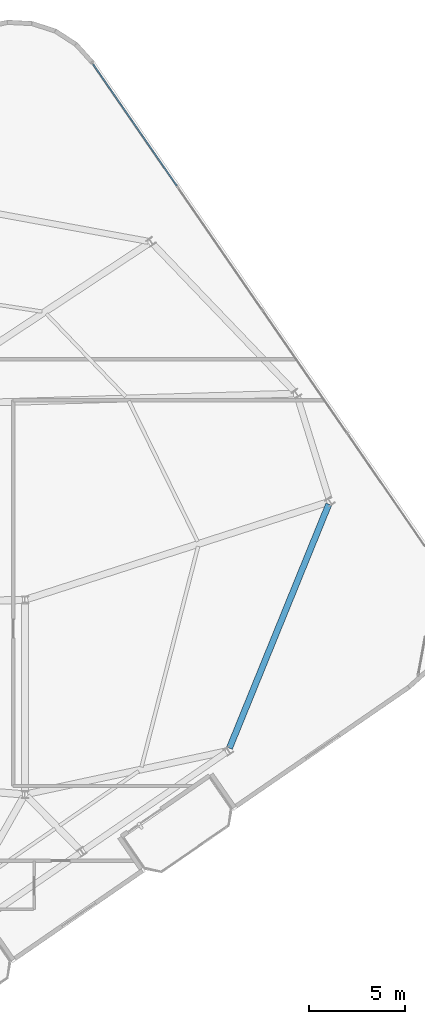
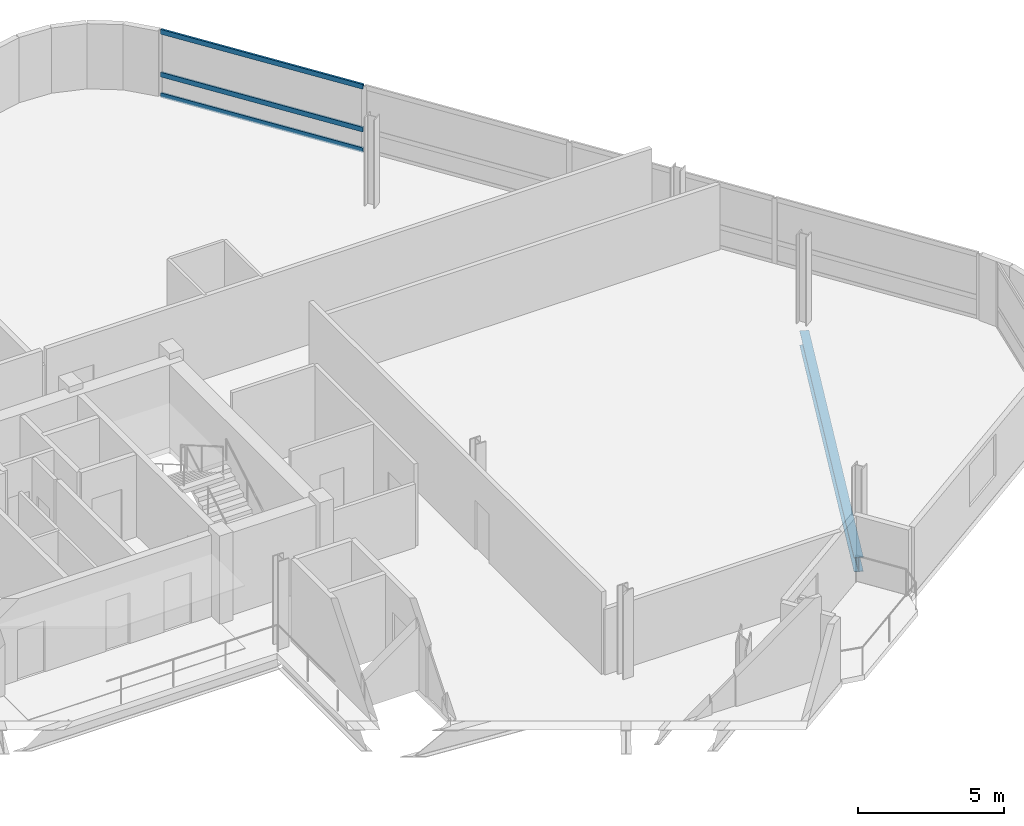
# One storey, part 11 of 23: 3 members, 1 beam, 1 element without a shape of its own.
"""IFC4 building model written with IfcOpenShell, lengths in metres."""

from ifc_helpers import new_model, si_unit, direction, frame, origin, origin_2d, place, context, subcontext, project, spatial, hollow_rectangle, i_section, extrude, material, layer, layer_set, material_profile, profile_set, type_object, element, aggregate, save


model = new_model("IFC4")

# Units and contexts
model_context = context("Model", 3, precision=1e-05, world=origin(), true_north=direction((0.0, 1.0)))
body_context = subcontext(model_context, "Body", "Model", "MODEL_VIEW")
ifc_project = project(units=[si_unit("LENGTHUNIT", "METRE"), si_unit("AREAUNIT", "SQUARE_METRE"), si_unit("VOLUMEUNIT", "CUBIC_METRE"), si_unit("PLANEANGLEUNIT", "RADIAN"), si_unit("MASSUNIT", "GRAM", prefix="KILO")], contexts=[model_context])

# Site, building, storey
site_placement = place(None, origin())
site = spatial("IfcSite", under=ifc_project, at=site_placement, CompositionType="ELEMENT")
building_placement = place(site_placement, origin())
building = spatial("IfcBuilding", under=site, at=building_placement, Name="Varnelok Gate Tower", CompositionType="ELEMENT")
storey_placement = place(building_placement, frame((0.0, 0.0, 258.199951171875)))
storey = spatial("IfcBuildingStorey", under=building, at=storey_placement, Name="L66", CompositionType="ELEMENT", Elevation=258.199951171875)

# Beam
ifc_material_1 = material(Name="Structural Steel ASTM A992 Grade 50", Category="steel")
ifc_material_profile_1 = material_profile(ifc_material_1, i_section(OverallWidth=0.323974609375, OverallDepth=0.611083984375, WebThickness=0.0126953125, FlangeThickness=0.01904296875, FilletRadius=0.01806640625, at=origin_2d()), Name="W24X104")
ifc_profile_set_1 = profile_set([ifc_material_profile_1], Name="Structural Steel ASTM A992 Grade 50")
beam_type = type_object("IfcBeamType", Name="BM-SPN-W24X104", PredefinedType="SPANDREL", material=ifc_profile_set_1)
beam_placement = place(storey_placement, frame((64.634765625, 21.20849609375, -0.555419921875), z_axis=(0.377167779659, 0.926144948692, 0.0), x_axis=(-0.926144948692, 0.377167779659, 0.0)))
element("IfcBeam", 1, at=beam_placement, inside=storey, type_object=beam_type, Name="L66 Perimeter Spandrel Beam 5", PredefinedType="SPANDREL", context=body_context, shape_type="SweptSolid", body=[
    extrude(i_section(OverallWidth=0.323974609375, OverallDepth=0.611083984375, WebThickness=0.0126953125, FlangeThickness=0.01904296875, FilletRadius=0.01806640625, at=origin_2d()), origin(), (0.0, 0.0, 1.0), 13.695556640625),
])

# Curtain wall, members
ifc_material_2 = material(Name="Anodized Aluminum Alloy 6063-T6", Category="aluminium")
ifc_layer = layer(ifc_material_2, 0.179931640625)
ifc_layer_set = layer_set([ifc_layer], Name="Anodized Aluminum Alloy 6063-T6")
curtain_wall_type = type_object("IfcCurtainWallType", Name="CW4-RESIDENCE-VISION", PredefinedType="USERDEFINED", material=ifc_layer_set)
curtain_wall_placement = place(storey_placement, origin())
curtain_wall = element("IfcCurtainWall", 2, at=curtain_wall_placement, inside=storey, type_object=curtain_wall_type, Name="L66 East End Vision Curtain Wall", ObjectType="UNITISED CURTAIN WALL", PredefinedType="USERDEFINED")
ifc_material_profile_2 = material_profile(ifc_material_2, hollow_rectangle(XDim=0.074951171875, YDim=0.199951171875, WallThickness=0.00390625, at=origin_2d()), Name="ALU200X75X4")
ifc_profile_set_2 = profile_set([ifc_material_profile_2], Name="Anodized Aluminum Alloy 6063-T6")
member_type = type_object("IfcMemberType", Name="CW-TRAN-200", PredefinedType="USERDEFINED", material=ifc_profile_set_2)
member_1_placement = place(storey_placement, frame((57.536865234375, 56.782470703125, 0.03759765625), z_axis=(0.567271254331, -0.823531009744, 0.0), x_axis=(0.823531009744, 0.567271254331, 0.0)))
member_1 = element("IfcMember", 3, at=member_1_placement, type_object=member_type, Name="CW4 transom 1.1", ObjectType="TRANSOM", PredefinedType="USERDEFINED", context=body_context, shape_type="SweptSolid", body=[
    extrude(hollow_rectangle(XDim=0.074951171875, YDim=0.199951171875, WallThickness=0.00390625, at=origin_2d()), origin(), (0.0, 0.0, 1.0), 7.6875),
])
member_2_placement = place(storey_placement, frame((57.536865234375, 56.782470703125, 0.900146484375), z_axis=(0.567271254331, -0.823531009744, 0.0), x_axis=(0.823531009744, 0.567271254331, 0.0)))
member_2 = element("IfcMember", 4, at=member_2_placement, type_object=member_type, Name="CW4 transom 1.2", ObjectType="TRANSOM", PredefinedType="USERDEFINED", context=body_context, shape_type="SweptSolid", body=[
    extrude(hollow_rectangle(XDim=0.074951171875, YDim=0.199951171875, WallThickness=0.00390625, at=origin_2d()), origin(), (0.0, 0.0, 1.0), 7.6875),
])
member_3_placement = place(storey_placement, frame((57.536865234375, 56.782470703125, 2.692626953125), z_axis=(0.567271254331, -0.823531009744, 0.0), x_axis=(0.823531009744, 0.567271254331, 0.0)))
member_3 = element("IfcMember", 5, at=member_3_placement, type_object=member_type, Name="CW4 transom 1.3", ObjectType="TRANSOM", PredefinedType="USERDEFINED", context=body_context, shape_type="SweptSolid", body=[
    extrude(hollow_rectangle(XDim=0.074951171875, YDim=0.199951171875, WallThickness=0.00390625, at=origin_2d()), origin(), (0.0, 0.0, 1.0), 7.6875),
])
aggregate(curtain_wall, [member_1, member_2, member_3])

save(model, "model.ifc")
